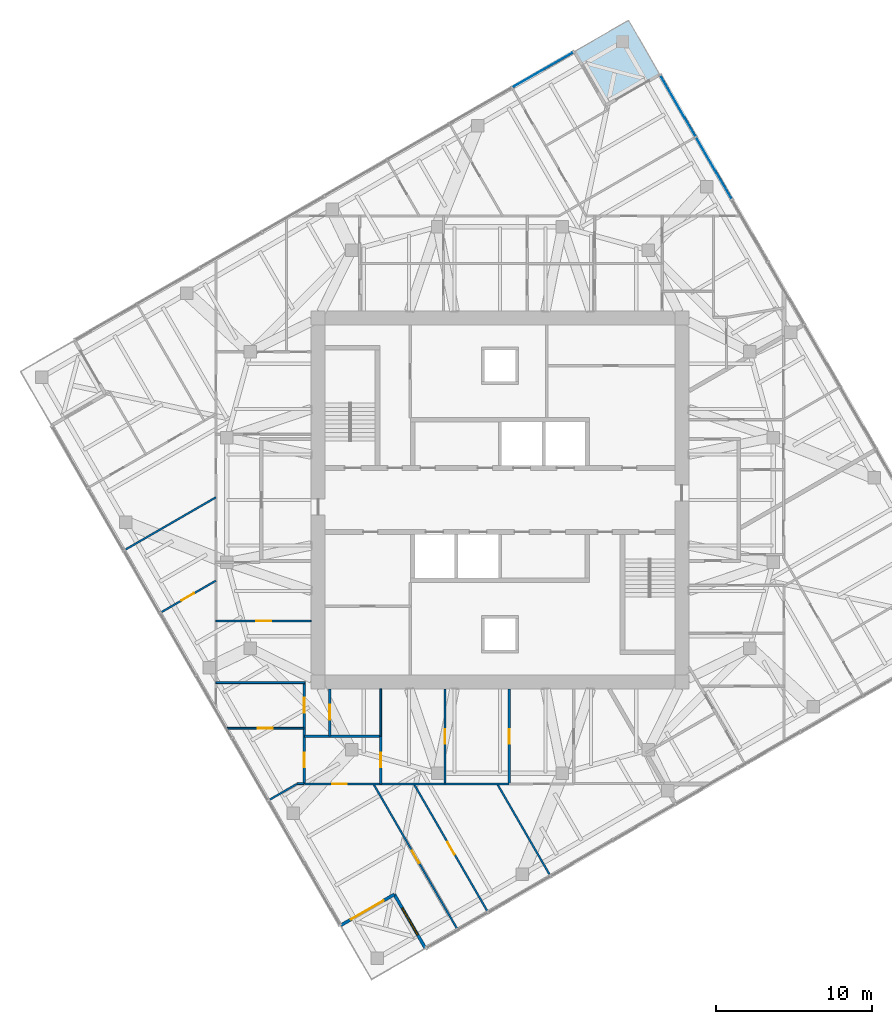
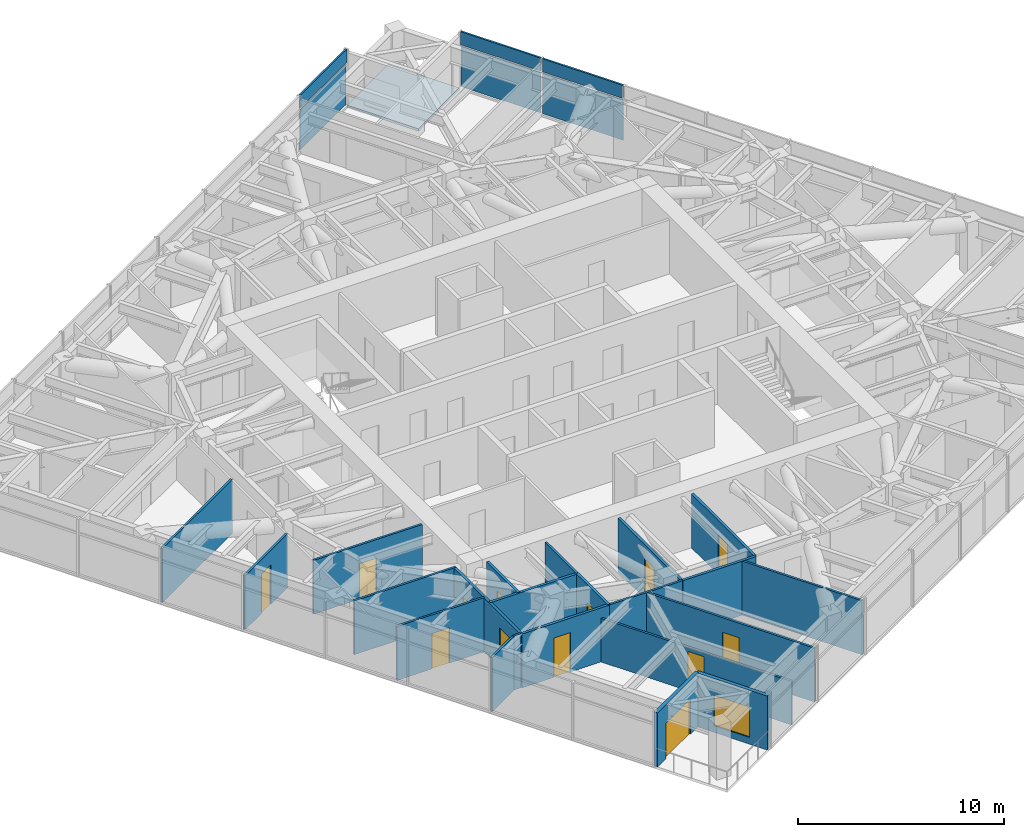
# One storey, part 9 of 16: 22 walls, 13 doors, 6 plates, 1 slab, 1 window, 14 openings, 2 elements without a shape of their own.
"""IFC4 building model written with IfcOpenShell, lengths in metres."""

import ifcopenshell
import ifcopenshell.guid

model = None  # the IFC model being written
_history = None  # IfcOwnerHistory: only IFC2X3 demands one
_inside = {}  # id of a spatial element -> (the spatial element, [elements in it])
_under = {}  # id of a project, library or spatial element -> (it, [spatial elements below it])
_declared = {}  # id of a project -> (the project, [libraries it declares])
_typed = {}  # id of a type object -> (the type object, [elements of that type])
_made_of = {}  # id of a material, layer set ... -> (it, [elements and type objects made of it])


def new_model(schema):
    """Start an empty IFC model of exactly this schema.

    Asked for "IFC4X3", IfcOpenShell would pick the latest addendum, in which some entities
    have other attributes; the version numbers below select the first issue.
    IFC2X3 requires an IfcOwnerHistory on every rooted entity: one is made here for all.
    """
    global model, _history
    if schema == "IFC4X3":
        model = ifcopenshell.file(schema_version=(4, 3, 0, 0))
    else:
        model = ifcopenshell.file(schema=schema)
    _inside.clear()
    _under.clear()
    _declared.clear()
    _typed.clear()
    _made_of.clear()
    _history = None
    if model.schema == "IFC2X3":
        org = make("IfcOrganization", Name="unknown")
        user = make(
            "IfcPersonAndOrganization",
            ThePerson=make("IfcPerson", FamilyName="unknown"),
            TheOrganization=org,
        )
        app = make(
            "IfcApplication",
            ApplicationDeveloper=org,
            Version="unknown",
            ApplicationFullName="unknown",
            ApplicationIdentifier="unknown",
        )
        _history = make(
            "IfcOwnerHistory",
            OwningUser=user,
            OwningApplication=app,
            ChangeAction="ADDED",
            CreationDate=0,
        )
    return model


def make(cls, **values):
    """One entity of the class cls with the attributes given. An attribute that is None is left unset."""
    return model.create_entity(
        cls, **{name: value for name, value in values.items() if value is not None}
    )


def rooted(cls, **values):
    """An entity with a GlobalId (a new one), such as an element, a storey or a relation."""
    return make(cls, GlobalId=ifcopenshell.guid.new(), OwnerHistory=_history, **values)


def si_unit(unit_type, name, prefix=None):
    """IfcSIUnit, for example si_unit("LENGTHUNIT", "METRE", prefix="MILLI")."""
    return make("IfcSIUnit", UnitType=unit_type, Prefix=prefix, Name=name)


def assignment(units):
    """IfcUnitAssignment: the units of a project."""
    return None if units is None else make("IfcUnitAssignment", Units=units)


def point(xyz):
    """IfcCartesianPoint."""
    return None if xyz is None else make("IfcCartesianPoint", Coordinates=xyz)


def direction(xyz):
    """IfcDirection."""
    return None if xyz is None else make("IfcDirection", DirectionRatios=xyz)


def frame(location, z_axis=None, x_axis=None):
    """IfcAxis2Placement3D, a coordinate frame: its origin and axes. An axis left out is left unset."""
    return make(
        "IfcAxis2Placement3D",
        Location=point(location),
        Axis=direction(z_axis),
        RefDirection=direction(x_axis),
    )


def frame_2d(location, x_axis=None):
    """IfcAxis2Placement2D, a coordinate frame in the plane: its origin and x axis."""
    return make(
        "IfcAxis2Placement2D", Location=point(location), RefDirection=direction(x_axis)
    )


def origin():
    """The frame at (0, 0, 0) with its axes left unset."""
    return frame((0.0, 0.0, 0.0))


def origin_2d():
    """The frame at (0, 0) in the plane with its x axis left unset."""
    return frame_2d((0.0, 0.0))


def place(relative_to, where):
    """IfcLocalPlacement: puts the frame where relative to a parent placement (None: the world)."""
    return make(
        "IfcLocalPlacement", PlacementRelTo=relative_to, RelativePlacement=where
    )


def context(
    kind, dimensions, precision=None, world=None, true_north=None, identifier=None
):
    """IfcGeometricRepresentationContext, for example the 3D "Model" context."""
    return make(
        "IfcGeometricRepresentationContext",
        ContextIdentifier=identifier,
        ContextType=kind,
        CoordinateSpaceDimension=dimensions,
        Precision=precision,
        WorldCoordinateSystem=world,
        TrueNorth=true_north,
    )


def subcontext(parent, identifier, kind, view, scale=None):
    """IfcGeometricRepresentationSubContext, for example "Body" below "Model"."""
    return make(
        "IfcGeometricRepresentationSubContext",
        ContextIdentifier=identifier,
        ContextType=kind,
        ParentContext=parent,
        TargetScale=scale,
        TargetView=view,
    )


def project(units=None, contexts=None):
    """IfcProject with its units and contexts."""
    return rooted(
        "IfcProject",
        Name="project",
        RepresentationContexts=contexts,
        UnitsInContext=assignment(units),
    )


def spatial(cls, under=None, at=None, **own):
    """A site, building, storey or space (cls), placed at a placement, below another one or the project."""
    s = rooted(cls, ObjectPlacement=at, **own)
    if under is not None:
        _under.setdefault(under.id(), (under, []))[1].append(s)
    return s


def polyline(points):
    """IfcPolyline through the points."""
    return make("IfcPolyline", Points=[point(p) for p in points])


def profile(cls, at=None, kind="AREA", **sizes):
    """A parametric profile (cls). Its sizes go by their IFC names, for example OverallWidth=200.0."""
    return make(cls, ProfileType=kind, Position=at, **sizes)


def rectangle(**sizes):
    """IfcRectangleProfileDef."""
    return profile("IfcRectangleProfileDef", **sizes)


def outline(outer, holes=None, kind="AREA"):
    """IfcArbitraryClosedProfileDef: a profile drawn as a closed curve; with holes, ...WithVoids."""
    if holes is None:
        return make("IfcArbitraryClosedProfileDef", ProfileType=kind, OuterCurve=outer)
    return make(
        "IfcArbitraryProfileDefWithVoids",
        ProfileType=kind,
        OuterCurve=outer,
        InnerCurves=holes,
    )


def extrude(swept, where, along, depth):
    """IfcExtrudedAreaSolid: the profile swept, set in the frame where, extruded along a direction by depth."""
    return make(
        "IfcExtrudedAreaSolid",
        SweptArea=swept,
        Position=where,
        ExtrudedDirection=direction(along),
        Depth=depth,
    )


def shape(context_of_items, identifier, shape_type, items):
    """IfcShapeRepresentation: the items that make up one representation, for example the "Body"."""
    return make(
        "IfcShapeRepresentation",
        ContextOfItems=context_of_items,
        RepresentationIdentifier=identifier,
        RepresentationType=shape_type,
        Items=items,
    )


def material(Name=None, Category=None):
    """IfcMaterial."""
    return make("IfcMaterial", Name=Name, Category=Category)


def layer(
    of_material, thickness, ventilated=None, Name=None, Category=None, Priority=None
):
    """IfcMaterialLayer: one layer of a wall or slab, of a material (None: an air gap)."""
    return make(
        "IfcMaterialLayer",
        Material=of_material,
        LayerThickness=thickness,
        IsVentilated=ventilated,
        Name=Name,
        Category=Category,
        Priority=Priority,
    )


def layer_set(layers, Name=None):
    """IfcMaterialLayerSet."""
    return make("IfcMaterialLayerSet", MaterialLayers=layers, LayerSetName=Name)


def made_of(thing, what):
    """Note that an element or type object is made of a material, layer set ...; save() writes the relation."""
    if what is not None:
        _made_of.setdefault(what.id(), (what, []))[1].append(thing)
    return thing


def type_object(cls, material=None, **own):
    """A type object (cls), such as IfcWallType, which elements share."""
    return made_of(rooted(cls, **own), material)


def element(
    cls,
    number,
    at=None,
    inside=None,
    cuts=None,
    type_object=None,
    material=None,
    context=None,
    identifier="Body",
    shape_type=None,
    held_by="IfcProductDefinitionShape",
    body=None,
    shapes=None,
    **own,
):
    """One element of the class cls, such as IfcWall. Its Tag is "e" and its number.

    at: its placement. inside: the storey or other place that contains it. cuts: it is an
    opening in that element (IfcRelVoidsElement). A single representation is given by context,
    identifier, shape_type and body (its items); several are given by shapes. held_by: the class
    of the entity that holds the representations. save() writes the other relations.
    """
    e = rooted(cls, Tag="e%d" % number, ObjectPlacement=at, **own)
    if body is not None:
        shapes = [shape(context, identifier, shape_type, body)]
    if shapes is not None:
        e.Representation = make(held_by, Representations=shapes)
    if inside is not None:
        _inside.setdefault(inside.id(), (inside, []))[1].append(e)
    if cuts is not None:
        rooted(
            "IfcRelVoidsElement", RelatingBuildingElement=cuts, RelatedOpeningElement=e
        )
    if type_object is not None:
        _typed.setdefault(type_object.id(), (type_object, []))[1].append(e)
    return made_of(e, material)


def fill(opening, filler):
    """IfcRelFillsElement: the door or window that sits in an opening."""
    return rooted(
        "IfcRelFillsElement",
        RelatingOpeningElement=opening,
        RelatedBuildingElement=filler,
    )


def aggregate(whole, parts):
    """IfcRelAggregates: a whole, such as a stair, and the parts it consists of."""
    return rooted("IfcRelAggregates", RelatingObject=whole, RelatedObjects=parts)


def save(model, path):
    """Write the relations noted so far, then the file.

    IfcRelAggregates (storeys below a building ...), IfcRelContainedInSpatialStructure (elements
    in a storey), IfcRelDefinesByType, IfcRelAssociatesMaterial and IfcRelDeclares: one each for
    every whole, place, type object, material and project.
    """
    for whole, parts in _under.values():
        aggregate(whole, parts)
    for where, things in _inside.values():
        rooted(
            "IfcRelContainedInSpatialStructure",
            RelatedElements=things,
            RelatingStructure=where,
        )
    for kind, things in _typed.values():
        rooted("IfcRelDefinesByType", RelatedObjects=things, RelatingType=kind)
    for what, things in _made_of.values():
        rooted("IfcRelAssociatesMaterial", RelatedObjects=things, RelatingMaterial=what)
    for by, libraries in _declared.values():
        rooted("IfcRelDeclares", RelatingContext=by, RelatedDefinitions=libraries)
    model.write(path)


model = new_model("IFC4")

# Units and contexts
model_context = context("Model", 3, precision=1e-05, world=origin(), true_north=direction((0.0, 1.0)))
body_context = subcontext(model_context, "Body", "Model", "MODEL_VIEW")
ifc_project = project(units=[si_unit("LENGTHUNIT", "METRE"), si_unit("AREAUNIT", "SQUARE_METRE"), si_unit("VOLUMEUNIT", "CUBIC_METRE"), si_unit("PLANEANGLEUNIT", "RADIAN"), si_unit("MASSUNIT", "GRAM", prefix="KILO")], contexts=[model_context])

# Site, building, storey
site_placement = place(None, origin())
site = spatial("IfcSite", under=ifc_project, at=site_placement, CompositionType="ELEMENT")
building_placement = place(site_placement, origin())
building = spatial("IfcBuilding", under=site, at=building_placement, Name="Torsade Residences", CompositionType="ELEMENT")
storey_placement = place(building_placement, frame((0.0, 0.0, 232.0)))
storey = spatial("IfcBuildingStorey", under=building, at=storey_placement, Name="L64", CompositionType="ELEMENT", Elevation=232.0)

# Curtain wall, plates
ifc_material_1 = material(Name="Aluminium and glass", Category="aluminium")
curtain_wall_type = type_object("IfcCurtainWallType", Name="FRITTED GLASS CURTAIN WALL HIGH ZONE", PredefinedType="NOTDEFINED", material=ifc_material_1)
curtain_wall_1_placement = place(storey_placement, origin())
curtain_wall_1 = element("IfcCurtainWall", 1, at=curtain_wall_1_placement, inside=storey, type_object=curtain_wall_type, Name="Curtain wall L64 face 4", PredefinedType="NOTDEFINED")
ifc_material_2 = material(Name="Laminated glass", Category="glass")
ifc_layer_1 = layer(ifc_material_2, 0.031982421875)
ifc_layer_set_1 = layer_set([ifc_layer_1], Name="Laminated glass")
plate_type_1 = type_object("IfcPlateType", Name="FRITTED GLASS PANEL", PredefinedType="CURTAIN_PANEL", material=ifc_layer_set_1)
plate_1_placement = place(storey_placement, frame((53.704345703125, 51.263427734375, 0.1201171875), z_axis=(0.0, 0.0, 1.0), x_axis=(-0.499999999305, 0.866025404186, 0.0)))
plate_1 = element("IfcPlate", 2, at=plate_1_placement, type_object=plate_type_1, Name="Panel 7", PredefinedType="CURTAIN_PANEL", context=body_context, shape_type="SweptSolid", body=[
    extrude(rectangle(XDim=4.52490234375, YDim=0.031982421875, at=origin_2d()), origin(), (0.0, 0.0, 1.0), 2.3798828125),
])
plate_2_placement = place(storey_placement, frame((51.404296875, 55.2470703125, 0.1201171875), z_axis=(0.0, 0.0, 1.0), x_axis=(-0.499999999305, 0.866025404186, 0.0)))
plate_2 = element("IfcPlate", 3, at=plate_2_placement, type_object=plate_type_1, Name="Panel 8", PredefinedType="CURTAIN_PANEL", context=body_context, shape_type="SweptSolid", body=[
    extrude(rectangle(XDim=4.47509765625, YDim=0.031982421875, at=origin_2d()), origin(), (0.0, 0.0, 1.0), 2.3798828125),
])

# Curtain wall, plate
curtain_wall_2_placement = place(storey_placement, origin())
curtain_wall_2 = element("IfcCurtainWall", 4, at=curtain_wall_2_placement, inside=storey, type_object=curtain_wall_type, Name="Curtain wall L64 face 7", PredefinedType="NOTDEFINED")
plate_3_placement = place(storey_placement, frame((42.7470703125, 57.56689453125, 0.1201171875), z_axis=(0.0, 0.0, 1.0), x_axis=(-0.866025404186, -0.499999999305, 0.0)))
plate_3 = element("IfcPlate", 5, at=plate_3_placement, type_object=plate_type_1, Name="Panel 1", PredefinedType="CURTAIN_PANEL", context=body_context, shape_type="SweptSolid", body=[
    extrude(rectangle(XDim=4.47509765625, YDim=0.031982421875, at=origin_2d()), origin(), (0.0, 0.0, 1.0), 2.3798828125),
])

# Plate
ifc_material_3 = material(Name="Aluminium composite spandrel panel", Category="aluminium")
ifc_layer_2 = layer(ifc_material_3, 0.10009765625)
ifc_layer_set_2 = layer_set([ifc_layer_2], Name="Aluminium composite spandrel panel")
plate_type_2 = type_object("IfcPlateType", Name="OPAQUE SPANDREL PANEL", PredefinedType="CURTAIN_PANEL", material=ifc_layer_set_2)
plate_4_placement = place(storey_placement, frame((53.704345703125, 51.263427734375, 2.6201171875), z_axis=(0.0, 0.0, 1.0), x_axis=(-0.499999999305, 0.866025404186, 0.0)))
plate_4 = element("IfcPlate", 6, at=plate_4_placement, type_object=plate_type_2, Name="Spandrel panel 7", PredefinedType="CURTAIN_PANEL", context=body_context, shape_type="SweptSolid", body=[
    extrude(rectangle(XDim=4.52490234375, YDim=0.10009765625, at=origin_2d()), origin(), (0.0, 0.0, 1.0), 0.780029296875),
])

plate_5_placement = place(storey_placement, frame((51.404296875, 55.2470703125, 2.6201171875), z_axis=(0.0, 0.0, 1.0), x_axis=(-0.499999999305, 0.866025404186, 0.0)))
plate_5 = element("IfcPlate", 7, at=plate_5_placement, type_object=plate_type_2, Name="Spandrel panel 8", PredefinedType="CURTAIN_PANEL", context=body_context, shape_type="SweptSolid", body=[
    extrude(rectangle(XDim=4.47509765625, YDim=0.10009765625, at=origin_2d()), origin(), (0.0, 0.0, 1.0), 0.780029296875),
])

aggregate(curtain_wall_1, [plate_1, plate_4, plate_2, plate_5])

plate_6_placement = place(storey_placement, frame((42.7470703125, 57.56689453125, 2.6201171875), z_axis=(0.0, 0.0, 1.0), x_axis=(-0.866025404186, -0.499999999305, 0.0)))
plate_6 = element("IfcPlate", 8, at=plate_6_placement, type_object=plate_type_2, Name="Spandrel panel 1", PredefinedType="CURTAIN_PANEL", context=body_context, shape_type="SweptSolid", body=[
    extrude(rectangle(XDim=4.47509765625, YDim=0.10009765625, at=origin_2d()), origin(), (0.0, 0.0, 1.0), 0.780029296875),
])

aggregate(curtain_wall_2, [plate_3, plate_6])

# Slab
ifc_material_4 = material(Name="Concrete 40 MPa", Category="concrete")
ifc_layer_3 = layer(ifc_material_4, 0.14990234375)
ifc_layer_set_3 = layer_set([ifc_layer_3], Name="Concrete 40 MPa")
slab_type = type_object("IfcSlabType", Name="TERRACE SLAB 150", PredefinedType="FLOOR", material=ifc_layer_set_3)
slab_placement = place(storey_placement, frame((0.0, 0.0, -0.14990234375)))
element("IfcSlab", 9, at=slab_placement, inside=storey, type_object=slab_type, Name="Corner terrace slab NE L64", PredefinedType="FLOOR", context=body_context, shape_type="SweptSolid", body=[
    extrude(outline(polyline([(46.771484375, 55.271484375), (50.235595703125, 57.271484375), (48.235595703125, 60.735595703125), (44.771484375, 58.735595703125), (46.771484375, 55.271484375)])), origin(), (0.0, 0.0, 1.0), 0.14990234375),
])

# Wall, opening, door
ifc_material_5 = material(Name="Plasterboard on steel stud", Category="steel")
ifc_layer_4 = layer(ifc_material_5, 0.1201171875)
ifc_layer_set_4 = layer_set([ifc_layer_4], Name="Plasterboard on steel stud")
wall_type_1 = type_object("IfcWallType", Name="PARTITION 120", PredefinedType="PARTITIONING", material=ifc_layer_set_4)
wall_1_placement = place(storey_placement, frame((27.89990234375, 22.25048828125, 0.0), z_axis=(0.0, 0.0, 1.0), x_axis=(-1.0, 0.0, 0.0)))
wall_1 = element("IfcWall", 10, at=wall_1_placement, inside=storey, type_object=wall_type_1, Name="Partition L64", PredefinedType="PARTITIONING", context=body_context, shape_type="SweptSolid", body=[
    extrude(rectangle(XDim=6.099853515625, YDim=0.1201171875, at=frame_2d((3.0498046875, 0.0))), origin(), (0.0, 0.0, 1.0), 3.199951171875),
])
opening_1_placement = place(wall_1_placement, frame((2.570068359375, 0.0, 0.0)))
opening_1 = element("IfcOpeningElement", 11, at=opening_1_placement, cuts=wall_1, Name="Opening D05", PredefinedType="OPENING", context=body_context, shape_type="SweptSolid", body=[
    extrude(rectangle(XDim=0.9599609375, YDim=2.10009765625, at=frame_2d((0.47998046875, 1.050048828125))), frame((0.0, 0.070068359375, 0.0), z_axis=(0.0, -1.0, 0.0), x_axis=(1.0, 0.0, 0.0)), (0.0, 0.0, 1.0), 0.14013671875),
])
ifc_material_6 = material(Name="Hollow-core timber door in a steel cavity frame", Category="steel")
door_type_1 = type_object("IfcDoorType", Name="BATHROOM CAVITY SLIDING DOOR 960", OperationType="SLIDING_TO_LEFT", PredefinedType="DOOR", material=ifc_material_6)
door_1_placement = place(opening_1_placement, origin())
door_1 = element("IfcDoor", 12, at=door_1_placement, inside=storey, type_object=door_type_1, Name="Door Bathroom to Dressing room", OperationType="SLIDING_TO_LEFT", OverallHeight=2.10009765625, OverallWidth=0.9599609375, PredefinedType="DOOR", context=body_context, shape_type="SweptSolid", body=[
    extrude(rectangle(XDim=0.9599609375, YDim=2.10009765625, at=frame_2d((0.47998046875, 1.050048828125))), frame((0.0, 0.02490234375, 0.0), z_axis=(0.0, -1.0, 0.0), x_axis=(1.0, 0.0, 0.0)), (0.0, 0.0, 1.0), 0.050048828125),
])
fill(opening_1, door_1)

# Walls
wall_2_placement = place(storey_placement, frame((27.5078125, 18.294921875, 0.0), z_axis=(0.0, 0.0, 1.0), x_axis=(-1.0, 0.0, 0.0)))
element("IfcWall", 13, at=wall_2_placement, inside=storey, type_object=wall_type_1, Name="Partition L64", PredefinedType="PARTITIONING", context=body_context, shape_type="SweptSolid", body=[
    extrude(rectangle(XDim=5.707763671875, YDim=0.1201171875, at=frame_2d((2.85400390625, 0.0))), origin(), (0.0, 0.0, 1.0), 3.199951171875),
])
wall_3_placement = place(storey_placement, frame((32.361328125, 17.89990234375, 0.0), z_axis=(0.0, 0.0, 1.0), x_axis=(0.0, -1.0, 0.0)))
element("IfcWall", 14, at=wall_3_placement, inside=storey, type_object=wall_type_1, Name="Partition L64", PredefinedType="PARTITIONING", context=body_context, shape_type="SweptSolid", body=[
    extrude(rectangle(XDim=3.031005859375, YDim=0.1201171875, at=frame_2d((1.515625, 0.0))), origin(), (0.0, 0.0, 1.0), 3.199951171875),
])

# Wall, opening, door
wall_4_placement = place(storey_placement, frame((22.51025390625, 15.373046875, 0.0), z_axis=(0.0, 0.0, 1.0), x_axis=(1.0, 0.0, 0.0)))
wall_4 = element("IfcWall", 15, at=wall_4_placement, inside=storey, type_object=wall_type_1, Name="Partition L64", PredefinedType="PARTITIONING", context=body_context, shape_type="SweptSolid", body=[
    extrude(rectangle(XDim=4.917724609375, YDim=0.1201171875, at=frame_2d((2.458984375, 0.0))), origin(), (0.0, 0.0, 1.0), 3.199951171875),
])
opening_2_placement = place(wall_4_placement, frame((1.972900390625, 0.0, 0.0)))
opening_2 = element("IfcOpeningElement", 16, at=opening_2_placement, cuts=wall_4, Name="Opening D05", PredefinedType="OPENING", context=body_context, shape_type="SweptSolid", body=[
    extrude(rectangle(XDim=0.9599609375, YDim=2.10009765625, at=frame_2d((0.47998046875, 1.050048828125))), frame((0.0, 0.070068359375, 0.0), z_axis=(0.0, -1.0, 0.0), x_axis=(1.0, 0.0, 0.0)), (0.0, 0.0, 1.0), 0.14013671875),
])
door_2_placement = place(opening_2_placement, origin())
door_2 = element("IfcDoor", 17, at=door_2_placement, inside=storey, type_object=door_type_1, Name="Door WC 2 to Dressing room 2", OperationType="SLIDING_TO_LEFT", OverallHeight=2.10009765625, OverallWidth=0.9599609375, PredefinedType="DOOR", context=body_context, shape_type="SweptSolid", body=[
    extrude(rectangle(XDim=0.9599609375, YDim=2.10009765625, at=frame_2d((0.47998046875, 1.050048828125))), frame((0.0, 0.02490234375, 0.0), z_axis=(0.0, -1.0, 0.0), x_axis=(1.0, 0.0, 0.0)), (0.0, 0.0, 1.0), 0.050048828125),
])
fill(opening_2, door_2)

# Walls
wall_5_placement = place(storey_placement, frame((27.427978515625, 11.830078125, 0.0), z_axis=(0.0, 0.0, 1.0), x_axis=(-1.0, 0.0, 0.0)))
element("IfcWall", 18, at=wall_5_placement, inside=storey, type_object=wall_type_1, Name="Partition L64", PredefinedType="PARTITIONING", context=body_context, shape_type="SweptSolid", body=[
    extrude(rectangle(XDim=0.42138671875, YDim=0.1201171875, at=frame_2d((0.210693359375, 0.0))), origin(), (0.0, 0.0, 1.0), 3.199951171875),
])
wall_6_placement = place(storey_placement, frame((26.97607421875, 11.799560546875, 0.0), z_axis=(0.0, 0.0, 1.0), x_axis=(-0.866046860819, -0.499962833484, 0.0)))
element("IfcWall", 19, at=wall_6_placement, inside=storey, type_object=wall_type_1, Name="Partition L64", PredefinedType="PARTITIONING", context=body_context, shape_type="SweptSolid", body=[
    extrude(rectangle(XDim=2.080810546875, YDim=0.1201171875, at=frame_2d((1.04052734375, 0.0))), origin(), (0.0, 0.0, 1.0), 3.199951171875),
])
wall_7_placement = place(storey_placement, frame((36.4736328125, 11.800048828125, 0.0), z_axis=(0.0, 0.0, 1.0), x_axis=(-1.0, 0.0, 0.0)))
element("IfcWall", 20, at=wall_7_placement, inside=storey, type_object=wall_type_1, Name="Partition L64", PredefinedType="PARTITIONING", context=body_context, shape_type="SweptSolid", body=[
    extrude(rectangle(XDim=4.1123046875, YDim=0.1201171875, at=frame_2d((2.05615234375, 0.0))), origin(), (0.0, 0.0, 1.0), 3.199951171875),
])

# Wall, opening, door
wall_8_placement = place(storey_placement, frame((31.89501953125, 11.800048828125, 0.0), z_axis=(0.0, 0.0, 1.0), x_axis=(0.500002897658, -0.866023730815, 0.0)))
wall_8 = element("IfcWall", 21, at=wall_8_placement, inside=storey, type_object=wall_type_1, Name="Partition L64", PredefinedType="PARTITIONING", context=body_context, shape_type="SweptSolid", body=[
    extrude(rectangle(XDim=10.7509765625, YDim=0.1201171875, at=frame_2d((5.37548828125, 0.0))), origin(), (0.0, 0.0, 1.0), 2.587890625),
])
opening_3_placement = place(wall_8_placement, frame((4.935302734375, 0.0, 0.0)))
opening_3 = element("IfcOpeningElement", 22, at=opening_3_placement, cuts=wall_8, Name="Opening D02", PredefinedType="OPENING", context=body_context, shape_type="SweptSolid", body=[
    extrude(rectangle(XDim=0.919921875, YDim=2.340087890625, at=frame_2d((0.4599609375, 1.169921875))), frame((0.0, 0.070068359375, 0.0), z_axis=(0.0, -1.0, 0.0), x_axis=(1.0, 0.0, 0.0)), (0.0, 0.0, 1.0), 0.14013671875),
])
ifc_material_7 = material(Name="Hollow-core timber door", Category="wood")
door_type_2 = type_object("IfcDoorType", Name="INTERNAL DOOR 920x2340", OperationType="NOTDEFINED", PredefinedType="DOOR", material=ifc_material_7)
door_3_placement = place(opening_3_placement, origin())
door_3 = element("IfcDoor", 23, at=door_3_placement, inside=storey, type_object=door_type_2, Name="Door Living room to Walk-in robe 3", OperationType="SINGLE_SWING_LEFT", OverallHeight=2.340087890625, OverallWidth=0.919921875, PredefinedType="DOOR", context=body_context, shape_type="SweptSolid", body=[
    extrude(rectangle(XDim=0.919921875, YDim=2.340087890625, at=frame_2d((0.4599609375, 1.169921875))), frame((0.0, 0.02490234375, 0.0), z_axis=(0.0, -1.0, 0.0), x_axis=(1.0, 0.0, 0.0)), (0.0, 0.0, 1.0), 0.050048828125),
])
fill(opening_3, door_3)

# Wall
wall_9_placement = place(storey_placement, frame((43.21923828125, 5.924072265625, 0.0), z_axis=(0.0, 0.0, 1.0), x_axis=(-0.500009005995, 0.866020204108, 0.0)))
element("IfcWall", 24, at=wall_9_placement, inside=storey, type_object=wall_type_1, Name="Partition L64", PredefinedType="PARTITIONING", context=body_context, shape_type="SweptSolid", body=[
    extrude(rectangle(XDim=6.784912109375, YDim=0.1201171875, at=frame_2d((3.392578125, 0.0))), origin(), (0.0, 0.0, 1.0), 3.199951171875),
])

# Wall, opening, door
wall_10_placement = place(storey_placement, frame((39.2138671875, 3.611572265625, 0.0), z_axis=(0.0, 0.0, 1.0), x_axis=(-0.49999364752, 0.86602907136, 0.0)))
wall_10 = element("IfcWall", 25, at=wall_10_placement, inside=storey, type_object=wall_type_1, Name="Partition L64", PredefinedType="PARTITIONING", context=body_context, shape_type="SweptSolid", body=[
    extrude(rectangle(XDim=9.455078125, YDim=0.1201171875, at=frame_2d((4.7275390625, 0.0))), origin(), (0.0, 0.0, 1.0), 3.199951171875),
])
opening_4_placement = place(wall_10_placement, frame((4.24755859375, 0.0, 0.0)))
opening_4 = element("IfcOpeningElement", 26, at=opening_4_placement, cuts=wall_10, Name="Opening D02", PredefinedType="OPENING", context=body_context, shape_type="SweptSolid", body=[
    extrude(rectangle(XDim=0.919921875, YDim=2.340087890625, at=frame_2d((0.4599609375, 1.169921875))), frame((0.0, 0.070068359375, 0.0), z_axis=(0.0, -1.0, 0.0), x_axis=(1.0, 0.0, 0.0)), (0.0, 0.0, 1.0), 0.14013671875),
])
door_4_placement = place(opening_4_placement, origin())
door_4 = element("IfcDoor", 27, at=door_4_placement, inside=storey, type_object=door_type_2, Name="Door Walk-in robe 3 to Bedroom 4", OperationType="SINGLE_SWING_LEFT", OverallHeight=2.340087890625, OverallWidth=0.919921875, PredefinedType="DOOR", context=body_context, shape_type="SweptSolid", body=[
    extrude(rectangle(XDim=0.919921875, YDim=2.340087890625, at=frame_2d((0.4599609375, 1.169921875))), frame((0.0, 0.02490234375, 0.0), z_axis=(0.0, -1.0, 0.0), x_axis=(1.0, 0.0, 0.0)), (0.0, 0.0, 1.0), 0.050048828125),
])
fill(opening_4, door_4)

# Wall
wall_11_placement = place(storey_placement, frame((21.800048828125, 30.17333984375, 0.0), z_axis=(0.0, 0.0, 1.0), x_axis=(-0.866020204108, -0.500009005995, 0.0)))
element("IfcWall", 28, at=wall_11_placement, inside=storey, type_object=wall_type_1, Name="Partition L64", PredefinedType="PARTITIONING", context=body_context, shape_type="SweptSolid", body=[
    extrude(rectangle(XDim=6.784912109375, YDim=0.1201171875, at=frame_2d((3.392578125, 0.0))), origin(), (0.0, 0.0, 1.0), 3.199951171875),
])

# Wall, opening, door
wall_12_placement = place(storey_placement, frame((21.800048828125, 24.832763671875, 0.0), z_axis=(0.0, 0.0, 1.0), x_axis=(-0.866025520146, -0.499999798456, 0.0)))
wall_12 = element("IfcWall", 29, at=wall_12_placement, inside=storey, type_object=wall_type_1, Name="Partition L64", PredefinedType="PARTITIONING", context=body_context, shape_type="SweptSolid", body=[
    extrude(rectangle(XDim=4.11474609375, YDim=0.1201171875, at=frame_2d((2.057373046875, 0.0))), origin(), (0.0, 0.0, 1.0), 3.199951171875),
])
opening_5_placement = place(wall_12_placement, frame((1.617431640625, 0.0, 0.0)))
opening_5 = element("IfcOpeningElement", 30, at=opening_5_placement, cuts=wall_12, Name="Opening D02", PredefinedType="OPENING", context=body_context, shape_type="SweptSolid", body=[
    extrude(rectangle(XDim=0.919921875, YDim=2.340087890625, at=frame_2d((0.4599609375, 1.169921875))), frame((0.0, 0.070068359375, 0.0), z_axis=(0.0, -1.0, 0.0), x_axis=(1.0, 0.0, 0.0)), (0.0, 0.0, 1.0), 0.14013671875),
])
door_5_placement = place(opening_5_placement, origin())
door_5 = element("IfcDoor", 31, at=door_5_placement, inside=storey, type_object=door_type_2, Name="Door Study 3 to Family room 3", OperationType="SINGLE_SWING_LEFT", OverallHeight=2.340087890625, OverallWidth=0.919921875, PredefinedType="DOOR", context=body_context, shape_type="SweptSolid", body=[
    extrude(rectangle(XDim=0.919921875, YDim=2.340087890625, at=frame_2d((0.4599609375, 1.169921875))), frame((0.0, 0.02490234375, 0.0), z_axis=(0.0, -1.0, 0.0), x_axis=(1.0, 0.0, 0.0)), (0.0, 0.0, 1.0), 0.050048828125),
])
fill(opening_5, door_5)

# Wall
ifc_material_8 = material(Name="Reinforced blockwork", Category="masonry")
ifc_layer_5 = layer(ifc_material_8, 0.14990234375)
ifc_layer_set_5 = layer_set([ifc_layer_5], Name="Reinforced blockwork")
wall_type_2 = type_object("IfcWallType", Name="SERVICE ROOM WALL 150", PredefinedType="SOLIDWALL", material=ifc_layer_set_5)
wall_13_placement = place(storey_placement, frame((32.361328125, 14.868896484375, 0.0), z_axis=(0.0, 0.0, 1.0), x_axis=(-1.0, 0.0, 0.0)))
element("IfcWall", 32, at=wall_13_placement, inside=storey, type_object=wall_type_2, Name="Service room wall L64", PredefinedType="SOLIDWALL", context=body_context, shape_type="SweptSolid", body=[
    extrude(rectangle(XDim=4.9033203125, YDim=0.14990234375, at=frame_2d((2.45166015625, 0.0))), origin(), (0.0, 0.0, 1.0), 3.199951171875),
])

# Wall, opening, door
wall_14_placement = place(storey_placement, frame((29.09228515625, 14.868896484375, 0.0), z_axis=(0.0, 0.0, 1.0), x_axis=(0.0, 1.0, 0.0)))
wall_14 = element("IfcWall", 33, at=wall_14_placement, inside=storey, type_object=wall_type_2, Name="Service room wall L64", PredefinedType="SOLIDWALL", context=body_context, shape_type="SweptSolid", body=[
    extrude(rectangle(XDim=3.031005859375, YDim=0.14990234375, at=frame_2d((1.515625, 0.0))), origin(), (0.0, 0.0, 1.0), 3.199951171875),
])
opening_6_placement = place(wall_14_placement, frame((1.03564453125, 0.0, 0.0)))
opening_6 = element("IfcOpeningElement", 34, at=opening_6_placement, cuts=wall_14, Name="Opening D05", PredefinedType="OPENING", context=body_context, shape_type="SweptSolid", body=[
    extrude(rectangle(XDim=0.9599609375, YDim=2.10009765625, at=frame_2d((0.47998046875, 1.050048828125))), frame((0.0, 0.0849609375, 0.0), z_axis=(0.0, -1.0, 0.0), x_axis=(1.0, 0.0, 0.0)), (0.0, 0.0, 1.0), 0.169921875),
])
door_6_placement = place(opening_6_placement, origin())
door_6 = element("IfcDoor", 35, at=door_6_placement, inside=storey, type_object=door_type_1, Name="Door Linen store 3 to WC", OperationType="SLIDING_TO_LEFT", OverallHeight=2.10009765625, OverallWidth=0.9599609375, PredefinedType="DOOR", context=body_context, shape_type="SweptSolid", body=[
    extrude(rectangle(XDim=0.9599609375, YDim=2.10009765625, at=frame_2d((0.47998046875, 1.050048828125))), frame((0.0, 0.02490234375, 0.0), z_axis=(0.0, -1.0, 0.0), x_axis=(1.0, 0.0, 0.0)), (0.0, 0.0, 1.0), 0.050048828125),
])
fill(opening_6, door_6)

# Wall, openings, doors
wall_15_placement = place(storey_placement, frame((27.4580078125, 11.800048828125, 0.0), z_axis=(0.0, 0.0, 1.0), x_axis=(0.0, 1.0, 0.0)))
wall_15 = element("IfcWall", 36, at=wall_15_placement, inside=storey, type_object=wall_type_2, Name="Service room wall L64", PredefinedType="SOLIDWALL", context=body_context, shape_type="SweptSolid", body=[
    extrude(rectangle(XDim=6.494873046875, YDim=0.14990234375, at=frame_2d((3.24755859375, 0.0))), origin(), (0.0, 0.0, 1.0), 3.199951171875),
])
opening_7_placement = place(wall_15_placement, frame((4.569091796875, 0.0, 0.0)))
opening_7 = element("IfcOpeningElement", 37, at=opening_7_placement, cuts=wall_15, Name="Opening D05N", PredefinedType="OPENING", context=body_context, shape_type="SweptSolid", body=[
    extrude(rectangle(XDim=0.9599609375, YDim=2.0, at=frame_2d((0.47998046875, 1.0))), frame((0.0, 0.0849609375, 0.0), z_axis=(0.0, -1.0, 0.0), x_axis=(1.0, 0.0, 0.0)), (0.0, 0.0, 1.0), 0.169921875),
])
opening_8_placement = place(wall_15_placement, frame((1.074462890625, 0.0, 0.0)))
opening_8 = element("IfcOpeningElement", 38, at=opening_8_placement, cuts=wall_15, Name="Opening D02", PredefinedType="OPENING", context=body_context, shape_type="SweptSolid", body=[
    extrude(rectangle(XDim=0.919921875, YDim=2.340087890625, at=frame_2d((0.4599609375, 1.169921875))), frame((0.0, 0.0849609375, 0.0), z_axis=(0.0, -1.0, 0.0), x_axis=(1.0, 0.0, 0.0)), (0.0, 0.0, 1.0), 0.169921875),
])
ifc_material_9 = material(Name="Hollow-core timber door in a steel cavity frame", Category="steel")
door_type_3 = type_object("IfcDoorType", Name="BATHROOM CAVITY SLIDING DOOR 960x2000", OperationType="SLIDING_TO_LEFT", PredefinedType="DOOR", material=ifc_material_9)
door_7_placement = place(opening_7_placement, origin())
door_7 = element("IfcDoor", 39, at=door_7_placement, inside=storey, type_object=door_type_3, Name="Door WC 2 to Linen store 3", OperationType="SLIDING_TO_LEFT", OverallHeight=2.0, OverallWidth=0.9599609375, PredefinedType="DOOR", context=body_context, shape_type="SweptSolid", body=[
    extrude(rectangle(XDim=0.9599609375, YDim=2.0, at=frame_2d((0.47998046875, 1.0))), frame((0.0, 0.02490234375, 0.0), z_axis=(0.0, -1.0, 0.0), x_axis=(1.0, 0.0, 0.0)), (0.0, 0.0, 1.0), 0.050048828125),
])
fill(opening_7, door_7)
door_8_placement = place(opening_8_placement, origin())
door_8 = element("IfcDoor", 40, at=door_8_placement, inside=storey, type_object=door_type_2, Name="Door Dressing room 2 to Linen store", OperationType="SINGLE_SWING_LEFT", OverallHeight=2.340087890625, OverallWidth=0.919921875, PredefinedType="DOOR", context=body_context, shape_type="SweptSolid", body=[
    extrude(rectangle(XDim=0.919921875, YDim=2.340087890625, at=frame_2d((0.4599609375, 1.169921875))), frame((0.0, 0.02490234375, 0.0), z_axis=(0.0, -1.0, 0.0), x_axis=(1.0, 0.0, 0.0)), (0.0, 0.0, 1.0), 0.050048828125),
])
fill(opening_8, door_8)

# Wall, opening, door
wall_16_placement = place(storey_placement, frame((32.361328125, 14.868896484375, 0.0), z_axis=(0.0, 0.0, 1.0), x_axis=(0.0, -1.0, 0.0)))
wall_16 = element("IfcWall", 41, at=wall_16_placement, inside=storey, type_object=wall_type_2, Name="Service room wall L64", PredefinedType="SOLIDWALL", context=body_context, shape_type="SweptSolid", body=[
    extrude(rectangle(XDim=3.06884765625, YDim=0.14990234375, at=frame_2d((1.534423828125, 0.0))), origin(), (0.0, 0.0, 1.0), 3.199951171875),
])
opening_9_placement = place(wall_16_placement, frame((1.074462890625, 0.0, 0.0)))
opening_9 = element("IfcOpeningElement", 42, at=opening_9_placement, cuts=wall_16, Name="Opening D02L", PredefinedType="OPENING", context=body_context, shape_type="SweptSolid", body=[
    extrude(rectangle(XDim=0.919921875, YDim=2.10009765625, at=frame_2d((0.4599609375, 1.050048828125))), frame((0.0, 0.0849609375, 0.0), z_axis=(0.0, -1.0, 0.0), x_axis=(1.0, 0.0, 0.0)), (0.0, 0.0, 1.0), 0.169921875),
])
ifc_material_10 = material(Name="Hollow-core timber door", Category="wood")
door_type_4 = type_object("IfcDoorType", Name="INTERNAL DOOR 920x2100", OperationType="NOTDEFINED", PredefinedType="DOOR", material=ifc_material_10)
door_9_placement = place(opening_9_placement, origin())
door_9 = element("IfcDoor", 43, at=door_9_placement, inside=storey, type_object=door_type_4, Name="Door Linen store to Walk-in robe 2", OperationType="SINGLE_SWING_RIGHT", OverallHeight=2.10009765625, OverallWidth=0.919921875, PredefinedType="DOOR", context=body_context, shape_type="SweptSolid", body=[
    extrude(rectangle(XDim=0.919921875, YDim=2.10009765625, at=frame_2d((0.4599609375, 1.050048828125))), frame((0.0, 0.02490234375, 0.0), z_axis=(0.0, -1.0, 0.0), x_axis=(1.0, 0.0, 0.0)), (0.0, 0.0, 1.0), 0.050048828125),
])
fill(opening_9, door_9)

wall_17_placement = place(storey_placement, frame((32.361328125, 11.800048828125, 0.0), z_axis=(0.0, 0.0, 1.0), x_axis=(-1.0, 0.0, 0.0)))
wall_17 = element("IfcWall", 44, at=wall_17_placement, inside=storey, type_object=wall_type_2, Name="Service room wall L64", PredefinedType="SOLIDWALL", context=body_context, shape_type="SweptSolid", body=[
    extrude(rectangle(XDim=4.9033203125, YDim=0.14990234375, at=frame_2d((2.45166015625, 0.0))), origin(), (0.0, 0.0, 1.0), 3.199951171875),
])
opening_10_placement = place(wall_17_placement, frame((2.196044921875, 0.0, 0.0)))
opening_10 = element("IfcOpeningElement", 45, at=opening_10_placement, cuts=wall_17, Name="Opening D02", PredefinedType="OPENING", context=body_context, shape_type="SweptSolid", body=[
    extrude(rectangle(XDim=0.919921875, YDim=2.340087890625, at=frame_2d((0.4599609375, 1.169921875))), frame((0.0, 0.0849609375, 0.0), z_axis=(0.0, -1.0, 0.0), x_axis=(1.0, 0.0, 0.0)), (0.0, 0.0, 1.0), 0.169921875),
])
door_10_placement = place(opening_10_placement, origin())
door_10 = element("IfcDoor", 46, at=door_10_placement, inside=storey, type_object=door_type_2, Name="Door Linen store to Living room", OperationType="SINGLE_SWING_LEFT", OverallHeight=2.340087890625, OverallWidth=0.919921875, PredefinedType="DOOR", context=body_context, shape_type="SweptSolid", body=[
    extrude(rectangle(XDim=0.919921875, YDim=2.340087890625, at=frame_2d((0.4599609375, 1.169921875))), frame((0.0, 0.02490234375, 0.0), z_axis=(0.0, -1.0, 0.0), x_axis=(1.0, 0.0, 0.0)), (0.0, 0.0, 1.0), 0.050048828125),
])
fill(opening_10, door_10)

wall_18_placement = place(storey_placement, frame((40.585693359375, 11.800048828125, 0.0), z_axis=(0.0, 0.0, 1.0), x_axis=(0.0, 1.0, 0.0)))
wall_18 = element("IfcWall", 47, at=wall_18_placement, inside=storey, type_object=wall_type_2, Name="Service room wall L64", PredefinedType="SOLIDWALL", context=body_context, shape_type="SweptSolid", body=[
    extrude(rectangle(XDim=6.099853515625, YDim=0.14990234375, at=frame_2d((3.0498046875, 0.0))), origin(), (0.0, 0.0, 1.0), 3.199951171875),
])
opening_11_placement = place(wall_18_placement, frame((2.590087890625, 0.0, 0.0)))
opening_11 = element("IfcOpeningElement", 48, at=opening_11_placement, cuts=wall_18, Name="Opening D02", PredefinedType="OPENING", context=body_context, shape_type="SweptSolid", body=[
    extrude(rectangle(XDim=0.919921875, YDim=2.340087890625, at=frame_2d((0.4599609375, 1.169921875))), frame((0.0, 0.0849609375, 0.0), z_axis=(0.0, -1.0, 0.0), x_axis=(1.0, 0.0, 0.0)), (0.0, 0.0, 1.0), 0.169921875),
])
door_11_placement = place(opening_11_placement, origin())
door_11 = element("IfcDoor", 49, at=door_11_placement, inside=storey, type_object=door_type_2, Name="Door Store 2 to Study", OperationType="SINGLE_SWING_LEFT", OverallHeight=2.340087890625, OverallWidth=0.919921875, PredefinedType="DOOR", context=body_context, shape_type="SweptSolid", body=[
    extrude(rectangle(XDim=0.919921875, YDim=2.340087890625, at=frame_2d((0.4599609375, 1.169921875))), frame((0.0, 0.02490234375, 0.0), z_axis=(0.0, -1.0, 0.0), x_axis=(1.0, 0.0, 0.0)), (0.0, 0.0, 1.0), 0.050048828125),
])
fill(opening_11, door_11)

wall_19_placement = place(storey_placement, frame((36.4736328125, 17.89990234375, 0.0), z_axis=(0.0, 0.0, 1.0), x_axis=(0.0, -1.0, 0.0)))
wall_19 = element("IfcWall", 50, at=wall_19_placement, inside=storey, type_object=wall_type_2, Name="Service room wall L64", PredefinedType="SOLIDWALL", context=body_context, shape_type="SweptSolid", body=[
    extrude(rectangle(XDim=6.099853515625, YDim=0.14990234375, at=frame_2d((3.0498046875, 0.0))), origin(), (0.0, 0.0, 1.0), 3.199951171875),
])
opening_12_placement = place(wall_19_placement, frame((2.590087890625, 0.0, 0.0)))
opening_12 = element("IfcOpeningElement", 51, at=opening_12_placement, cuts=wall_19, Name="Opening D02", PredefinedType="OPENING", context=body_context, shape_type="SweptSolid", body=[
    extrude(rectangle(XDim=0.919921875, YDim=2.340087890625, at=frame_2d((0.4599609375, 1.169921875))), frame((0.0, 0.0849609375, 0.0), z_axis=(0.0, -1.0, 0.0), x_axis=(1.0, 0.0, 0.0)), (0.0, 0.0, 1.0), 0.169921875),
])
door_12_placement = place(opening_12_placement, origin())
door_12 = element("IfcDoor", 52, at=door_12_placement, inside=storey, type_object=door_type_2, Name="Door Walk-in robe 2 to Store 2", OperationType="SINGLE_SWING_RIGHT", OverallHeight=2.340087890625, OverallWidth=0.919921875, PredefinedType="DOOR", context=body_context, shape_type="SweptSolid", body=[
    extrude(rectangle(XDim=0.919921875, YDim=2.340087890625, at=frame_2d((0.4599609375, 1.169921875))), frame((0.0, 0.02490234375, 0.0), z_axis=(0.0, -1.0, 0.0), x_axis=(1.0, 0.0, 0.0)), (0.0, 0.0, 1.0), 0.050048828125),
])
fill(opening_12, door_12)

# Wall
wall_20_placement = place(storey_placement, frame((40.585693359375, 11.800048828125, 0.0), z_axis=(0.0, 0.0, 1.0), x_axis=(-1.0, 0.0, 0.0)))
element("IfcWall", 53, at=wall_20_placement, inside=storey, type_object=wall_type_2, Name="Service room wall L64", PredefinedType="SOLIDWALL", context=body_context, shape_type="SweptSolid", body=[
    extrude(rectangle(XDim=4.112060546875, YDim=0.14990234375, at=frame_2d((2.05615234375, 0.0))), origin(), (0.0, 0.0, 1.0), 3.199951171875),
])

# Wall, opening, door
ifc_material_11 = material(Name="Stone-faced precast concrete 40 MPa panel", Category="masonry")
ifc_layer_6 = layer(ifc_material_11, 0.199951171875)
ifc_layer_set_6 = layer_set([ifc_layer_6], Name="Stone-faced precast concrete 40 MPa panel")
wall_type_3 = type_object("IfcWallType", Name="TERRACE WALL 200", PredefinedType="SOLIDWALL", material=ifc_layer_set_6)
wall_21_placement = place(storey_placement, frame((29.764404296875, 2.728515625, 0.0), z_axis=(0.0, 0.0, 1.0), x_axis=(0.866026010844, 0.49999894854, 0.0)))
wall_21 = element("IfcWall", 54, at=wall_21_placement, inside=storey, type_object=wall_type_3, Name="Terrace wall L64 11", PredefinedType="SOLIDWALL", context=body_context, shape_type="SweptSolid", body=[
    extrude(rectangle(XDim=4.0, YDim=0.199951171875, at=frame_2d((2.0, 0.0))), origin(), (0.0, 0.0, 1.0), 3.199951171875),
])
opening_13_placement = place(wall_21_placement, frame((0.800048828125, 0.0, 0.0)))
opening_13 = element("IfcOpeningElement", 55, at=opening_13_placement, cuts=wall_21, Name="Opening D10A", PredefinedType="OPENING", context=body_context, shape_type="SweptSolid", body=[
    extrude(rectangle(XDim=2.39990234375, YDim=2.10009765625, at=frame_2d((1.199951171875, 1.050048828125))), frame((0.0, 0.10986328125, 0.0), z_axis=(0.0, -1.0, 0.0), x_axis=(1.0, 0.0, 0.0)), (0.0, 0.0, 1.0), 0.219970703125),
])
ifc_material_12 = material(Name="Aluminium-framed glass door", Category="aluminium")
door_type_5 = type_object("IfcDoorType", Name="TERRACE SLIDING DOOR 2400x2100", OperationType="SLIDING_TO_LEFT", PredefinedType="DOOR", material=ifc_material_12)
door_13_placement = place(opening_13_placement, origin())
door_13 = element("IfcDoor", 56, at=door_13_placement, inside=storey, type_object=door_type_5, Name="Terrace door L64 11", OperationType="SLIDING_TO_LEFT", OverallHeight=2.10009765625, OverallWidth=2.39990234375, PredefinedType="DOOR", context=body_context, shape_type="SweptSolid", body=[
    extrude(rectangle(XDim=2.39990234375, YDim=2.10009765625, at=frame_2d((1.199951171875, 1.050048828125))), frame((0.0, 0.02490234375, 0.0), z_axis=(0.0, -1.0, 0.0), x_axis=(1.0, 0.0, 0.0)), (0.0, 0.0, 1.0), 0.050048828125),
])
fill(opening_13, door_13)

# Wall, opening, window
wall_22_placement = place(storey_placement, frame((33.228515625, 4.728515625, 0.0), z_axis=(0.0, 0.0, 1.0), x_axis=(0.49999894854, -0.866026010844, 0.0)))
wall_22 = element("IfcWall", 57, at=wall_22_placement, inside=storey, type_object=wall_type_3, Name="Terrace wall L64 12", PredefinedType="SOLIDWALL", context=body_context, shape_type="SweptSolid", body=[
    extrude(rectangle(XDim=4.0, YDim=0.199951171875, at=frame_2d((2.0, 0.0))), origin(), (0.0, 0.0, 1.0), 3.199951171875),
])
opening_14_placement = place(wall_22_placement, frame((1.0, 0.0, 0.39990234375)))
opening_14 = element("IfcOpeningElement", 58, at=opening_14_placement, cuts=wall_22, Name="Opening W1B", PredefinedType="OPENING", context=body_context, shape_type="SweptSolid", body=[
    extrude(rectangle(XDim=2.0, YDim=1.800048828125, at=frame_2d((1.0, 0.89990234375))), frame((0.0, 0.10986328125, 0.0), z_axis=(0.0, -1.0, 0.0), x_axis=(1.0, 0.0, 0.0)), (0.0, 0.0, 1.0), 0.219970703125),
])
ifc_material_13 = material(Name="Aluminium-framed glass window", Category="aluminium")
window_type = type_object("IfcWindowType", Name="TERRACE WINDOW 2000x1800", PartitioningType="SINGLE_PANEL", PredefinedType="WINDOW", material=ifc_material_13)
window_placement = place(opening_14_placement, origin())
window = element("IfcWindow", 59, at=window_placement, inside=storey, type_object=window_type, Name="Terrace window L64 12", OverallHeight=1.800048828125, OverallWidth=2.0, PartitioningType="SINGLE_PANEL", PredefinedType="WINDOW", context=body_context, shape_type="SweptSolid", body=[
    extrude(rectangle(XDim=2.0, YDim=1.800048828125, at=frame_2d((1.0, 0.89990234375))), frame((0.0, 0.030029296875, 0.0), z_axis=(0.0, -1.0, 0.0), x_axis=(1.0, 0.0, 0.0)), (0.0, 0.0, 1.0), 0.06005859375),
])
fill(opening_14, window)

save(model, "model.ifc")
